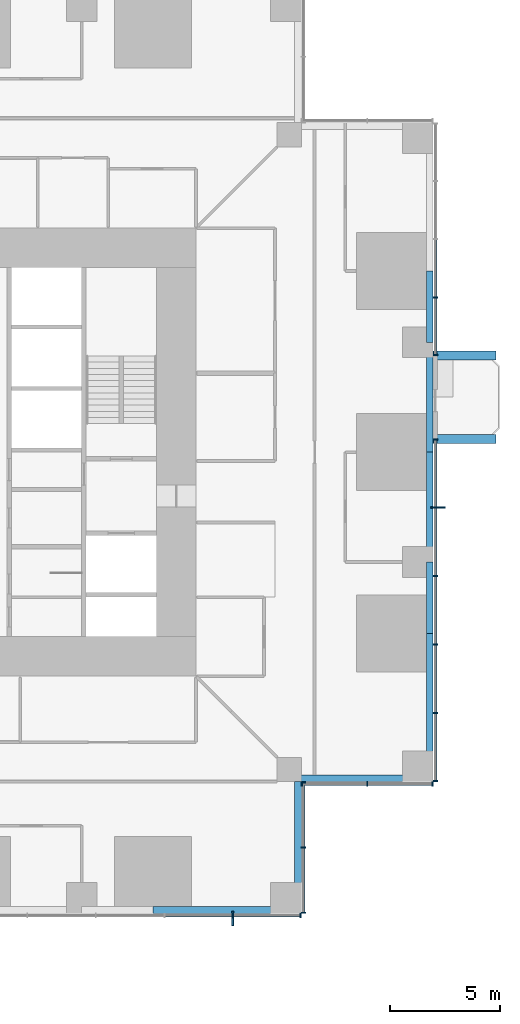
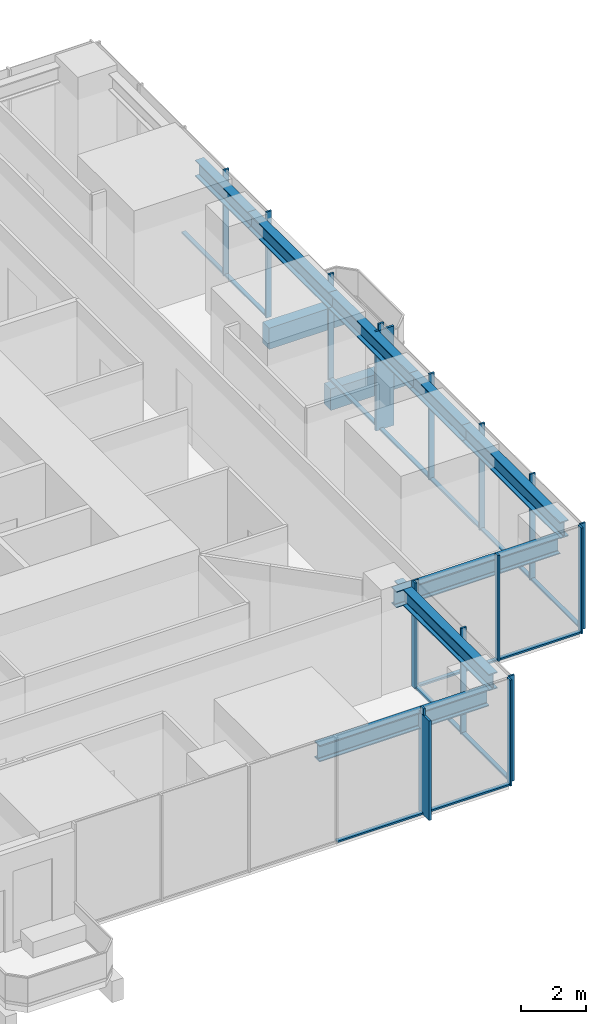
# One storey, part 4 of 17: 31 members, 10 beams, 5 elements without a shape of their own.
"""IFC4 building model written with IfcOpenShell, lengths in metres."""

from ifc_helpers import new_model, si_unit, direction, frame, origin, origin_2d, place, context, subcontext, project, spatial, rectangle, i_section, extrude, material, material_profile, profile_set, type_object, element, aggregate, save


model = new_model("IFC4")

# Units and contexts
model_context = context("Model", 3, precision=1e-05, world=origin(), true_north=direction((0.0, 1.0)))
body_context = subcontext(model_context, "Body", "Model", "MODEL_VIEW")
ifc_project = project(units=[si_unit("LENGTHUNIT", "METRE"), si_unit("AREAUNIT", "SQUARE_METRE"), si_unit("VOLUMEUNIT", "CUBIC_METRE"), si_unit("PLANEANGLEUNIT", "RADIAN"), si_unit("MASSUNIT", "GRAM", prefix="KILO")], contexts=[model_context])

# Site, building, storey
site_placement = place(None, origin())
site = spatial("IfcSite", under=ifc_project, at=site_placement, CompositionType="ELEMENT")
building_placement = place(site_placement, origin())
building = spatial("IfcBuilding", under=site, at=building_placement, Name="Svetlomir Tower", CompositionType="ELEMENT")
storey_placement = place(building_placement, frame((0.0, 0.0, 62.5)))
storey = spatial("IfcBuildingStorey", under=building, at=storey_placement, Name="L14", CompositionType="ELEMENT", Elevation=62.5)

# Beams
ifc_material_1 = material(Name="Concrete C60/75", Category="concrete")
ifc_material_profile_1 = material_profile(ifc_material_1, rectangle(XDim=0.39990234375, YDim=0.800048828125, at=origin_2d()), Name="RC 400x800")
ifc_profile_set_1 = profile_set([ifc_material_profile_1], Name="Concrete C60/75")
beam_type_1 = type_object("IfcBeamType", Name="BALCONY RIB RC 400x800", PredefinedType="BEAM", material=ifc_profile_set_1)
for number, where, z_axis, x_axis, name in (
    (1, (42.0, 21.60009765625, -0.64990234375), (1.0, 0.0, 0.0), (0.0, 1.0, 0.0), "Balcony rib E 1 L14"),
    (2, (42.0, 25.39990234375, -0.64990234375), (1.0, 0.0, 0.0), (0.0, 1.0, 0.0), "Balcony rib E 2 L14"),
):
    element("IfcBeam", number, at=place(storey_placement, frame(where, z_axis=z_axis, x_axis=x_axis)), inside=storey, type_object=beam_type_1, Name=name, PredefinedType="BEAM", context=body_context, shape_type="SweptSolid", body=[
        extrude(rectangle(XDim=0.39990234375, YDim=0.800048828125, at=origin_2d()), origin(), (0.0, 0.0, 1.0), 2.85009765625),
    ])

# Curtain wall, member
ifc_material_2 = material(Name="Bronze anodised aluminium curtain wall", Category="aluminium")
curtain_wall_type = type_object("IfcCurtainWallType", Name="CURTAIN WALL CW1 TOWER OFFICE", PredefinedType="NOTDEFINED", material=ifc_material_2)
curtain_wall_1_placement = place(storey_placement, origin())
curtain_wall_1 = element("IfcCurtainWall", 3, at=curtain_wall_1_placement, inside=storey, type_object=curtain_wall_type, Name="Curtain wall CW1 L14", PredefinedType="NOTDEFINED")
ifc_material_3 = material(Name="Bronze anodised aluminium", Category="aluminium")
ifc_material_profile_2 = material_profile(ifc_material_3, rectangle(XDim=0.080078125, YDim=0.64990234375, at=origin_2d()), Name="FIN 80x650")
ifc_profile_set_2 = profile_set([ifc_material_profile_2], Name="Bronze anodised aluminium 6063-T6")
member_type_1 = type_object("IfcMemberType", Name="BRONZE FIN 80x650", PredefinedType="USERDEFINED", material=ifc_profile_set_2)
member_1_placement = place(storey_placement, frame((32.8798828125, -0.22509765625, 0.0), z_axis=(0.0, 0.0, 1.0), x_axis=(1.0, 0.0, 0.0)))
member_1 = element("IfcMember", 4, at=member_1_placement, type_object=member_type_1, Name="Bronze fin L14", ObjectType="FIN", PredefinedType="USERDEFINED", context=body_context, shape_type="SweptSolid", body=[
    extrude(rectangle(XDim=0.080078125, YDim=0.64990234375, at=origin_2d()), origin(), (0.0, 0.0, 1.0), 3.75),
])

curtain_wall_2_placement = place(storey_placement, origin())
curtain_wall_2 = element("IfcCurtainWall", 5, at=curtain_wall_2_placement, inside=storey, type_object=curtain_wall_type, Name="Curtain wall CW1 L14", PredefinedType="NOTDEFINED")
member_2_placement = place(storey_placement, frame((42.22509765625, 18.47998046875, 0.0), z_axis=(0.0, 0.0, 1.0), x_axis=(0.0, 1.0, 0.0)))
member_2 = element("IfcMember", 6, at=member_2_placement, type_object=member_type_1, Name="Bronze fin L14", ObjectType="FIN", PredefinedType="USERDEFINED", context=body_context, shape_type="SweptSolid", body=[
    extrude(rectangle(XDim=0.080078125, YDim=0.64990234375, at=origin_2d()), origin(), (0.0, 0.0, 1.0), 3.75),
])

# Member
ifc_material_4 = material(Name="Bronze anodised aluminium", Category="aluminium")
ifc_material_profile_3 = material_profile(ifc_material_4, rectangle(XDim=0.06494140625, YDim=0.199951171875, at=origin_2d()), Name="AL 65x200")
ifc_profile_set_3 = profile_set([ifc_material_profile_3], Name="Bronze anodised aluminium 6063-T6")
member_type_2 = type_object("IfcMemberType", Name="CW1 MULLION 65x200", PredefinedType="MULLION", material=ifc_profile_set_3)
member_3_placement = place(storey_placement, frame((32.8798828125, -0.10009765625, 0.0), z_axis=(0.0, 0.0, 1.0), x_axis=(1.0, 0.0, 0.0)))
member_3 = element("IfcMember", 7, at=member_3_placement, type_object=member_type_2, Name="CW1 mullion 5", PredefinedType="MULLION", context=body_context, shape_type="SweptSolid", body=[
    extrude(rectangle(XDim=0.06494140625, YDim=0.199951171875, at=origin_2d()), origin(), (0.0, 0.0, 1.0), 4.0),
])

member_4_placement = place(storey_placement, frame((35.967529296875, -0.10009765625, 0.0), z_axis=(0.0, 0.0, 1.0), x_axis=(1.0, 0.0, 0.0)))
member_4 = element("IfcMember", 8, at=member_4_placement, type_object=member_type_2, Name="CW1 mullion 6", PredefinedType="MULLION", context=body_context, shape_type="SweptSolid", body=[
    extrude(rectangle(XDim=0.06494140625, YDim=0.199951171875, at=origin_2d()), origin(), (0.0, 0.0, 1.0), 4.0),
])

# Curtain wall, members
curtain_wall_3_placement = place(storey_placement, origin())
curtain_wall_3 = element("IfcCurtainWall", 9, at=curtain_wall_3_placement, inside=storey, type_object=curtain_wall_type, Name="Curtain wall CW1 L14", PredefinedType="NOTDEFINED")
member_5_placement = place(storey_placement, frame((36.10009765625, 0.032470703125, 0.0), z_axis=(0.0, 0.0, 1.0), x_axis=(0.0, 1.0, 0.0)))
member_5 = element("IfcMember", 10, at=member_5_placement, type_object=member_type_2, Name="CW1 mullion 1", PredefinedType="MULLION", context=body_context, shape_type="SweptSolid", body=[
    extrude(rectangle(XDim=0.06494140625, YDim=0.199951171875, at=origin_2d()), origin(), (0.0, 0.0, 1.0), 4.0),
])
member_6_placement = place(storey_placement, frame((36.10009765625, 3.0, 0.0), z_axis=(0.0, 0.0, 1.0), x_axis=(0.0, 1.0, 0.0)))
member_6 = element("IfcMember", 11, at=member_6_placement, type_object=member_type_2, Name="CW1 mullion 2", PredefinedType="MULLION", context=body_context, shape_type="SweptSolid", body=[
    extrude(rectangle(XDim=0.06494140625, YDim=0.199951171875, at=origin_2d()), origin(), (0.0, 0.0, 1.0), 4.0),
])
member_7_placement = place(storey_placement, frame((36.10009765625, 5.967529296875, 0.0), z_axis=(0.0, 0.0, 1.0), x_axis=(0.0, 1.0, 0.0)))
member_7 = element("IfcMember", 12, at=member_7_placement, type_object=member_type_2, Name="CW1 mullion 3", PredefinedType="MULLION", context=body_context, shape_type="SweptSolid", body=[
    extrude(rectangle(XDim=0.06494140625, YDim=0.199951171875, at=origin_2d()), origin(), (0.0, 0.0, 1.0), 4.0),
])

curtain_wall_4_placement = place(storey_placement, origin())
curtain_wall_4 = element("IfcCurtainWall", 13, at=curtain_wall_4_placement, inside=storey, type_object=curtain_wall_type, Name="Curtain wall CW1 L14", PredefinedType="NOTDEFINED")
member_8_placement = place(storey_placement, frame((36.032470703125, 5.89990234375, 0.0), z_axis=(0.0, 0.0, 1.0), x_axis=(1.0, 0.0, 0.0)))
member_8 = element("IfcMember", 14, at=member_8_placement, type_object=member_type_2, Name="CW1 mullion 1", PredefinedType="MULLION", context=body_context, shape_type="SweptSolid", body=[
    extrude(rectangle(XDim=0.06494140625, YDim=0.199951171875, at=origin_2d()), origin(), (0.0, 0.0, 1.0), 4.0),
])
member_9_placement = place(storey_placement, frame((39.0, 5.89990234375, 0.0), z_axis=(0.0, 0.0, 1.0), x_axis=(1.0, 0.0, 0.0)))
member_9 = element("IfcMember", 15, at=member_9_placement, type_object=member_type_2, Name="CW1 mullion 2", PredefinedType="MULLION", context=body_context, shape_type="SweptSolid", body=[
    extrude(rectangle(XDim=0.06494140625, YDim=0.199951171875, at=origin_2d()), origin(), (0.0, 0.0, 1.0), 4.0),
])
member_10_placement = place(storey_placement, frame((41.967529296875, 5.89990234375, 0.0), z_axis=(0.0, 0.0, 1.0), x_axis=(1.0, 0.0, 0.0)))
member_10 = element("IfcMember", 16, at=member_10_placement, type_object=member_type_2, Name="CW1 mullion 3", PredefinedType="MULLION", context=body_context, shape_type="SweptSolid", body=[
    extrude(rectangle(XDim=0.06494140625, YDim=0.199951171875, at=origin_2d()), origin(), (0.0, 0.0, 1.0), 4.0),
])

# Member
member_11_placement = place(storey_placement, frame((42.10009765625, 6.032470703125, 0.0), z_axis=(0.0, 0.0, 1.0), x_axis=(0.0, 1.0, 0.0)))
member_11 = element("IfcMember", 17, at=member_11_placement, type_object=member_type_2, Name="CW1 mullion 1", PredefinedType="MULLION", context=body_context, shape_type="SweptSolid", body=[
    extrude(rectangle(XDim=0.06494140625, YDim=0.199951171875, at=origin_2d()), origin(), (0.0, 0.0, 1.0), 4.0),
])

member_12_placement = place(storey_placement, frame((42.10009765625, 9.1201171875, 0.0), z_axis=(0.0, 0.0, 1.0), x_axis=(0.0, 1.0, 0.0)))
member_12 = element("IfcMember", 18, at=member_12_placement, type_object=member_type_2, Name="CW1 mullion 2", PredefinedType="MULLION", context=body_context, shape_type="SweptSolid", body=[
    extrude(rectangle(XDim=0.06494140625, YDim=0.199951171875, at=origin_2d()), origin(), (0.0, 0.0, 1.0), 4.0),
])

member_13_placement = place(storey_placement, frame((42.10009765625, 12.239990234375, 0.0), z_axis=(0.0, 0.0, 1.0), x_axis=(0.0, 1.0, 0.0)))
member_13 = element("IfcMember", 19, at=member_13_placement, type_object=member_type_2, Name="CW1 mullion 3", PredefinedType="MULLION", context=body_context, shape_type="SweptSolid", body=[
    extrude(rectangle(XDim=0.06494140625, YDim=0.199951171875, at=origin_2d()), origin(), (0.0, 0.0, 1.0), 4.0),
])

member_14_placement = place(storey_placement, frame((42.10009765625, 15.360107421875, 0.0), z_axis=(0.0, 0.0, 1.0), x_axis=(0.0, 1.0, 0.0)))
member_14 = element("IfcMember", 20, at=member_14_placement, type_object=member_type_2, Name="CW1 mullion 4", PredefinedType="MULLION", context=body_context, shape_type="SweptSolid", body=[
    extrude(rectangle(XDim=0.06494140625, YDim=0.199951171875, at=origin_2d()), origin(), (0.0, 0.0, 1.0), 4.0),
])

member_15_placement = place(storey_placement, frame((42.10009765625, 18.47998046875, 0.0), z_axis=(0.0, 0.0, 1.0), x_axis=(0.0, 1.0, 0.0)))
member_15 = element("IfcMember", 21, at=member_15_placement, type_object=member_type_2, Name="CW1 mullion 5", PredefinedType="MULLION", context=body_context, shape_type="SweptSolid", body=[
    extrude(rectangle(XDim=0.06494140625, YDim=0.199951171875, at=origin_2d()), origin(), (0.0, 0.0, 1.0), 4.0),
])

member_16_placement = place(storey_placement, frame((42.10009765625, 21.5673828125, 0.0), z_axis=(0.0, 0.0, 1.0), x_axis=(0.0, 1.0, 0.0)))
member_16 = element("IfcMember", 22, at=member_16_placement, type_object=member_type_2, Name="CW1 mullion 6", PredefinedType="MULLION", context=body_context, shape_type="SweptSolid", body=[
    extrude(rectangle(XDim=0.06494140625, YDim=0.199951171875, at=origin_2d()), origin(), (0.0, 0.0, 1.0), 4.0),
])

# Curtain wall, members
curtain_wall_5_placement = place(storey_placement, origin())
curtain_wall_5 = element("IfcCurtainWall", 23, at=curtain_wall_5_placement, inside=storey, type_object=curtain_wall_type, Name="Curtain wall CW1 L14", PredefinedType="NOTDEFINED")
member_17_placement = place(storey_placement, frame((42.10009765625, 25.4326171875, 0.0), z_axis=(0.0, 0.0, 1.0), x_axis=(0.0, 1.0, 0.0)))
member_17 = element("IfcMember", 24, at=member_17_placement, type_object=member_type_2, Name="CW1 mullion 1", PredefinedType="MULLION", context=body_context, shape_type="SweptSolid", body=[
    extrude(rectangle(XDim=0.06494140625, YDim=0.199951171875, at=origin_2d()), origin(), (0.0, 0.0, 1.0), 4.0),
])
member_18_placement = place(storey_placement, frame((42.10009765625, 28.050048828125, 0.0), z_axis=(0.0, 0.0, 1.0), x_axis=(0.0, 1.0, 0.0)))
member_18 = element("IfcMember", 25, at=member_18_placement, type_object=member_type_2, Name="CW1 mullion 2", PredefinedType="MULLION", context=body_context, shape_type="SweptSolid", body=[
    extrude(rectangle(XDim=0.06494140625, YDim=0.199951171875, at=origin_2d()), origin(), (0.0, 0.0, 1.0), 4.0),
])

# Member
ifc_material_5 = material(Name="Bronze anodised aluminium", Category="aluminium")
ifc_material_profile_4 = material_profile(ifc_material_5, rectangle(XDim=0.139892578125, YDim=0.06494140625, at=origin_2d()), Name="AL 140x65")
ifc_profile_set_4 = profile_set([ifc_material_profile_4], Name="Bronze anodised aluminium 6063-T6")
member_type_3 = type_object("IfcMemberType", Name="CW1 TRANSOM 65x140", PredefinedType="USERDEFINED", material=ifc_profile_set_4)
member_19_placement = place(storey_placement, frame((29.79248046875, -0.10009765625, 0.032470703125), z_axis=(1.0, 0.0, 0.0), x_axis=(0.0, 1.0, 0.0)))
member_19 = element("IfcMember", 26, at=member_19_placement, type_object=member_type_3, Name="CW1 transom 4.1", ObjectType="TRANSOM", PredefinedType="USERDEFINED", context=body_context, shape_type="SweptSolid", body=[
    extrude(rectangle(XDim=0.139892578125, YDim=0.06494140625, at=origin_2d()), origin(), (0.0, 0.0, 1.0), 3.054931640625),
])

member_20_placement = place(storey_placement, frame((32.91259765625, -0.10009765625, 0.032470703125), z_axis=(1.0, 0.0, 0.0), x_axis=(0.0, 1.0, 0.0)))
member_20 = element("IfcMember", 27, at=member_20_placement, type_object=member_type_3, Name="CW1 transom 5.1", ObjectType="TRANSOM", PredefinedType="USERDEFINED", context=body_context, shape_type="SweptSolid", body=[
    extrude(rectangle(XDim=0.139892578125, YDim=0.06494140625, at=origin_2d()), origin(), (0.0, 0.0, 1.0), 3.0224609375),
])

aggregate(curtain_wall_1, [member_3, member_4, member_19, member_20, member_1])

member_21_placement = place(storey_placement, frame((36.10009765625, 0.06494140625, 0.032470703125), z_axis=(0.0, 1.0, 0.0), x_axis=(-1.0, 0.0, 0.0)))
member_21 = element("IfcMember", 28, at=member_21_placement, type_object=member_type_3, Name="CW1 transom 1.1", ObjectType="TRANSOM", PredefinedType="USERDEFINED", context=body_context, shape_type="SweptSolid", body=[
    extrude(rectangle(XDim=0.139892578125, YDim=0.06494140625, at=origin_2d()), origin(), (0.0, 0.0, 1.0), 2.902587890625),
])

member_22_placement = place(storey_placement, frame((36.10009765625, 3.032470703125, 0.032470703125), z_axis=(0.0, 1.0, 0.0), x_axis=(-1.0, 0.0, 0.0)))
member_22 = element("IfcMember", 29, at=member_22_placement, type_object=member_type_3, Name="CW1 transom 2.1", ObjectType="TRANSOM", PredefinedType="USERDEFINED", context=body_context, shape_type="SweptSolid", body=[
    extrude(rectangle(XDim=0.139892578125, YDim=0.06494140625, at=origin_2d()), origin(), (0.0, 0.0, 1.0), 2.902587890625),
])

aggregate(curtain_wall_3, [member_5, member_6, member_7, member_21, member_22])

member_23_placement = place(storey_placement, frame((36.06494140625, 5.89990234375, 0.032470703125), z_axis=(1.0, 0.0, 0.0), x_axis=(0.0, 1.0, 0.0)))
member_23 = element("IfcMember", 30, at=member_23_placement, type_object=member_type_3, Name="CW1 transom 1.1", ObjectType="TRANSOM", PredefinedType="USERDEFINED", context=body_context, shape_type="SweptSolid", body=[
    extrude(rectangle(XDim=0.139892578125, YDim=0.06494140625, at=origin_2d()), origin(), (0.0, 0.0, 1.0), 2.902587890625),
])

member_24_placement = place(storey_placement, frame((39.032470703125, 5.89990234375, 0.032470703125), z_axis=(1.0, 0.0, 0.0), x_axis=(0.0, 1.0, 0.0)))
member_24 = element("IfcMember", 31, at=member_24_placement, type_object=member_type_3, Name="CW1 transom 2.1", ObjectType="TRANSOM", PredefinedType="USERDEFINED", context=body_context, shape_type="SweptSolid", body=[
    extrude(rectangle(XDim=0.139892578125, YDim=0.06494140625, at=origin_2d()), origin(), (0.0, 0.0, 1.0), 2.902587890625),
])

aggregate(curtain_wall_4, [member_8, member_9, member_10, member_23, member_24])

member_25_placement = place(storey_placement, frame((42.10009765625, 6.06494140625, 0.032470703125), z_axis=(0.0, 1.0, 0.0), x_axis=(-1.0, 0.0, 0.0)))
member_25 = element("IfcMember", 32, at=member_25_placement, type_object=member_type_3, Name="CW1 transom 1.1", ObjectType="TRANSOM", PredefinedType="USERDEFINED", context=body_context, shape_type="SweptSolid", body=[
    extrude(rectangle(XDim=0.139892578125, YDim=0.06494140625, at=origin_2d()), origin(), (0.0, 0.0, 1.0), 3.0224609375),
])

member_26_placement = place(storey_placement, frame((42.10009765625, 9.152587890625, 0.032470703125), z_axis=(0.0, 1.0, 0.0), x_axis=(-1.0, 0.0, 0.0)))
member_26 = element("IfcMember", 33, at=member_26_placement, type_object=member_type_3, Name="CW1 transom 2.1", ObjectType="TRANSOM", PredefinedType="USERDEFINED", context=body_context, shape_type="SweptSolid", body=[
    extrude(rectangle(XDim=0.139892578125, YDim=0.06494140625, at=origin_2d()), origin(), (0.0, 0.0, 1.0), 3.054931640625),
])

member_27_placement = place(storey_placement, frame((42.10009765625, 12.2724609375, 0.032470703125), z_axis=(0.0, 1.0, 0.0), x_axis=(-1.0, 0.0, 0.0)))
member_27 = element("IfcMember", 34, at=member_27_placement, type_object=member_type_3, Name="CW1 transom 3.1", ObjectType="TRANSOM", PredefinedType="USERDEFINED", context=body_context, shape_type="SweptSolid", body=[
    extrude(rectangle(XDim=0.139892578125, YDim=0.06494140625, at=origin_2d()), origin(), (0.0, 0.0, 1.0), 3.054931640625),
])

member_28_placement = place(storey_placement, frame((42.10009765625, 15.392578125, 0.032470703125), z_axis=(0.0, 1.0, 0.0), x_axis=(-1.0, 0.0, 0.0)))
member_28 = element("IfcMember", 35, at=member_28_placement, type_object=member_type_3, Name="CW1 transom 4.1", ObjectType="TRANSOM", PredefinedType="USERDEFINED", context=body_context, shape_type="SweptSolid", body=[
    extrude(rectangle(XDim=0.139892578125, YDim=0.06494140625, at=origin_2d()), origin(), (0.0, 0.0, 1.0), 3.054931640625),
])

member_29_placement = place(storey_placement, frame((42.10009765625, 18.512451171875, 0.032470703125), z_axis=(0.0, 1.0, 0.0), x_axis=(-1.0, 0.0, 0.0)))
member_29 = element("IfcMember", 36, at=member_29_placement, type_object=member_type_3, Name="CW1 transom 5.1", ObjectType="TRANSOM", PredefinedType="USERDEFINED", context=body_context, shape_type="SweptSolid", body=[
    extrude(rectangle(XDim=0.139892578125, YDim=0.06494140625, at=origin_2d()), origin(), (0.0, 0.0, 1.0), 3.0224609375),
])

aggregate(curtain_wall_2, [member_11, member_12, member_13, member_14, member_15, member_16, member_25, member_26, member_27, member_28, member_29, member_2])

member_30_placement = place(storey_placement, frame((42.10009765625, 25.465087890625, 0.032470703125), z_axis=(0.0, 1.0, 0.0), x_axis=(-1.0, 0.0, 0.0)))
member_30 = element("IfcMember", 37, at=member_30_placement, type_object=member_type_3, Name="CW1 transom 1.1", ObjectType="TRANSOM", PredefinedType="USERDEFINED", context=body_context, shape_type="SweptSolid", body=[
    extrude(rectangle(XDim=0.139892578125, YDim=0.06494140625, at=origin_2d()), origin(), (0.0, 0.0, 1.0), 2.552490234375),
])

member_31_placement = place(storey_placement, frame((42.10009765625, 28.08251953125, 0.032470703125), z_axis=(0.0, 1.0, 0.0), x_axis=(-1.0, 0.0, 0.0)))
member_31 = element("IfcMember", 38, at=member_31_placement, type_object=member_type_3, Name="CW1 transom 2.1", ObjectType="TRANSOM", PredefinedType="USERDEFINED", context=body_context, shape_type="SweptSolid", body=[
    extrude(rectangle(XDim=0.139892578125, YDim=0.06494140625, at=origin_2d()), origin(), (0.0, 0.0, 1.0), 2.5849609375),
])

aggregate(curtain_wall_5, [member_17, member_18, member_30, member_31])

# Beams
ifc_material_6 = material(Name="Steel S355", Category="steel")
ifc_material_profile_5 = material_profile(ifc_material_6, i_section(OverallWidth=0.304931640625, OverallDepth=0.6201171875, WebThickness=0.02099609375, FlangeThickness=0.0400390625, FilletRadius=0.027099609375, at=origin_2d()), Name="HEM 600")
ifc_profile_set_5 = profile_set([ifc_material_profile_5], Name="Steel S355")
beam_type_2 = type_object("IfcBeamType", Name="EDGE BEAM HEM 600", PredefinedType="SPANDREL", material=ifc_profile_set_5)
beam_1_placement = place(storey_placement, frame((41.847412109375, 6.699951171875, 3.43994140625), z_axis=(0.0, 1.0, 0.0), x_axis=(-1.0, 0.0, 0.0)))
element("IfcBeam", 39, at=beam_1_placement, inside=storey, type_object=beam_type_2, Name="Edge beam 42/6 to 42/11 under L15", PredefinedType="SPANDREL", context=body_context, shape_type="SweptSolid", body=[
    extrude(i_section(OverallWidth=0.304931640625, OverallDepth=0.6201171875, WebThickness=0.02099609375, FlangeThickness=0.0400390625, FilletRadius=0.027099609375, at=origin_2d()), origin(), (0.0, 0.0, 1.0), 6.050048828125),
])
beam_2_placement = place(storey_placement, frame((41.847412109375, 12.75, 3.43994140625), z_axis=(0.0, 1.0, 0.0), x_axis=(-1.0, 0.0, 0.0)))
element("IfcBeam", 40, at=beam_2_placement, inside=storey, type_object=beam_type_2, Name="Edge beam 42/11 to 42/16 under L15", PredefinedType="SPANDREL", context=body_context, shape_type="SweptSolid", body=[
    extrude(i_section(OverallWidth=0.304931640625, OverallDepth=0.6201171875, WebThickness=0.02099609375, FlangeThickness=0.0400390625, FilletRadius=0.027099609375, at=origin_2d()), origin(), (0.0, 0.0, 1.0), 3.25),
])
for number, where, z_axis, x_axis, name in (
    (41, (41.847412109375, 16.0, 3.43994140625), (0.0, 1.0, 0.0), (-1.0, 0.0, 0.0), "Edge beam 42/16 to 42/21 under L15"),
    (42, (41.847412109375, 21.0, 3.43994140625), (0.0, 1.0, 0.0), (-1.0, 0.0, 0.0), "Edge beam 42/21 to 42/26 under L15"),
):
    element("IfcBeam", number, at=place(storey_placement, frame(where, z_axis=z_axis, x_axis=x_axis)), inside=storey, type_object=beam_type_2, Name=name, PredefinedType="SPANDREL", context=body_context, shape_type="SweptSolid", body=[
        extrude(i_section(OverallWidth=0.304931640625, OverallDepth=0.6201171875, WebThickness=0.02099609375, FlangeThickness=0.0400390625, FilletRadius=0.027099609375, at=origin_2d()), origin(), (0.0, 0.0, 1.0), 5.0),
    ])
beam_3_placement = place(storey_placement, frame((41.847412109375, 26.0, 3.43994140625), z_axis=(0.0, 1.0, 0.0), x_axis=(-1.0, 0.0, 0.0)))
element("IfcBeam", 43, at=beam_3_placement, inside=storey, type_object=beam_type_2, Name="Edge beam 42/26 to 42/31 under L15", PredefinedType="SPANDREL", context=body_context, shape_type="SweptSolid", body=[
    extrude(i_section(OverallWidth=0.304931640625, OverallDepth=0.6201171875, WebThickness=0.02099609375, FlangeThickness=0.0400390625, FilletRadius=0.027099609375, at=origin_2d()), origin(), (0.0, 0.0, 1.0), 3.25),
])
beam_4_placement = place(storey_placement, frame((29.25, 0.152587890625, 3.43994140625), z_axis=(1.0, 0.0, 0.0), x_axis=(0.0, 1.0, 0.0)))
element("IfcBeam", 44, at=beam_4_placement, inside=storey, type_object=beam_type_2, Name="Edge beam 31/0 to 36/0 under L15", PredefinedType="SPANDREL", context=body_context, shape_type="SweptSolid", body=[
    extrude(i_section(OverallWidth=0.304931640625, OverallDepth=0.6201171875, WebThickness=0.02099609375, FlangeThickness=0.0400390625, FilletRadius=0.027099609375, at=origin_2d()), origin(), (0.0, 0.0, 1.0), 6.050048828125),
])
for number, where, z_axis, x_axis, name in (
    (45, (35.847412109375, 0.699951171875, 3.43994140625), (0.0, 1.0, 0.0), (-1.0, 0.0, 0.0), "Edge beam 36/0 to 36/6 under L15"),
    (46, (41.300048828125, 6.152587890625, 3.43994140625), (-1.0, 0.0, 0.0), (0.0, -1.0, 0.0), "Edge beam 42/6 to 36/6 under L15"),
):
    element("IfcBeam", number, at=place(storey_placement, frame(where, z_axis=z_axis, x_axis=x_axis)), inside=storey, type_object=beam_type_2, Name=name, PredefinedType="SPANDREL", context=body_context, shape_type="SweptSolid", body=[
        extrude(i_section(OverallWidth=0.304931640625, OverallDepth=0.6201171875, WebThickness=0.02099609375, FlangeThickness=0.0400390625, FilletRadius=0.027099609375, at=origin_2d()), origin(), (0.0, 0.0, 1.0), 5.85009765625),
    ])

save(model, "model.ifc")
